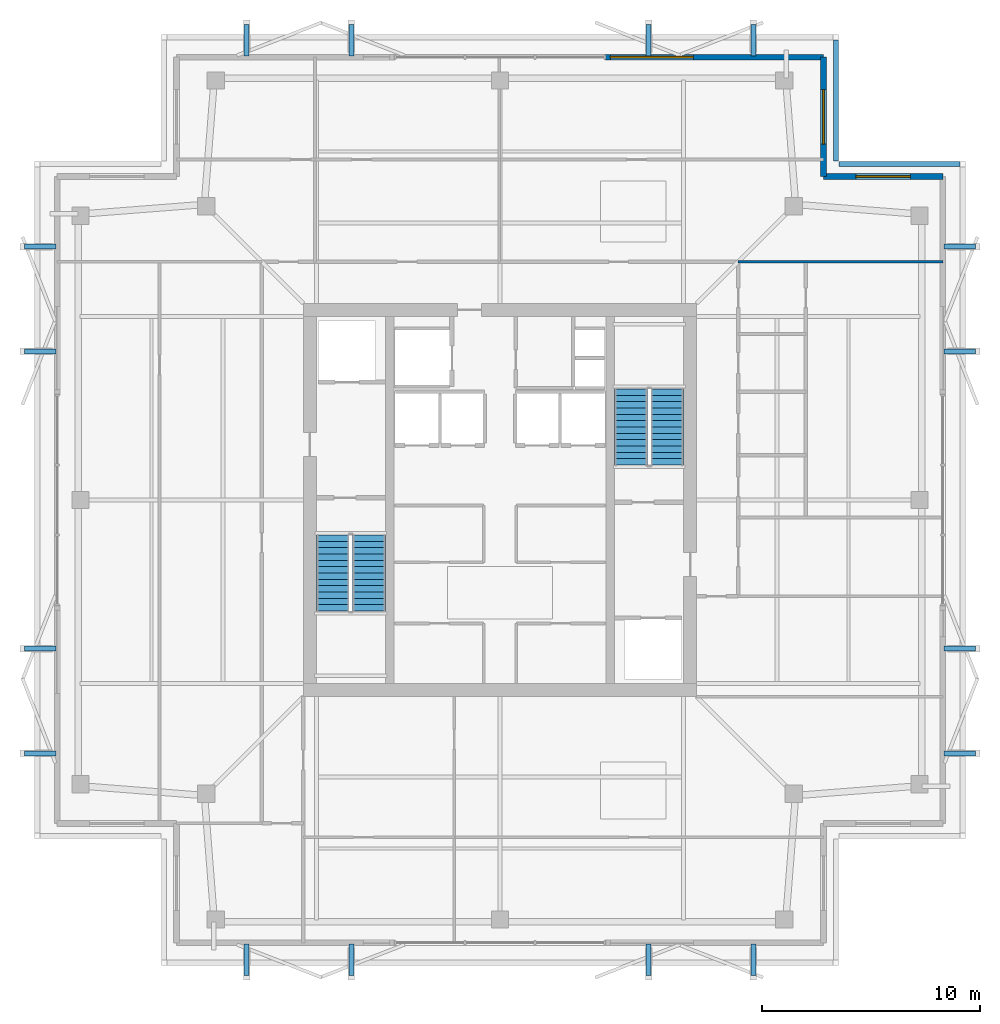
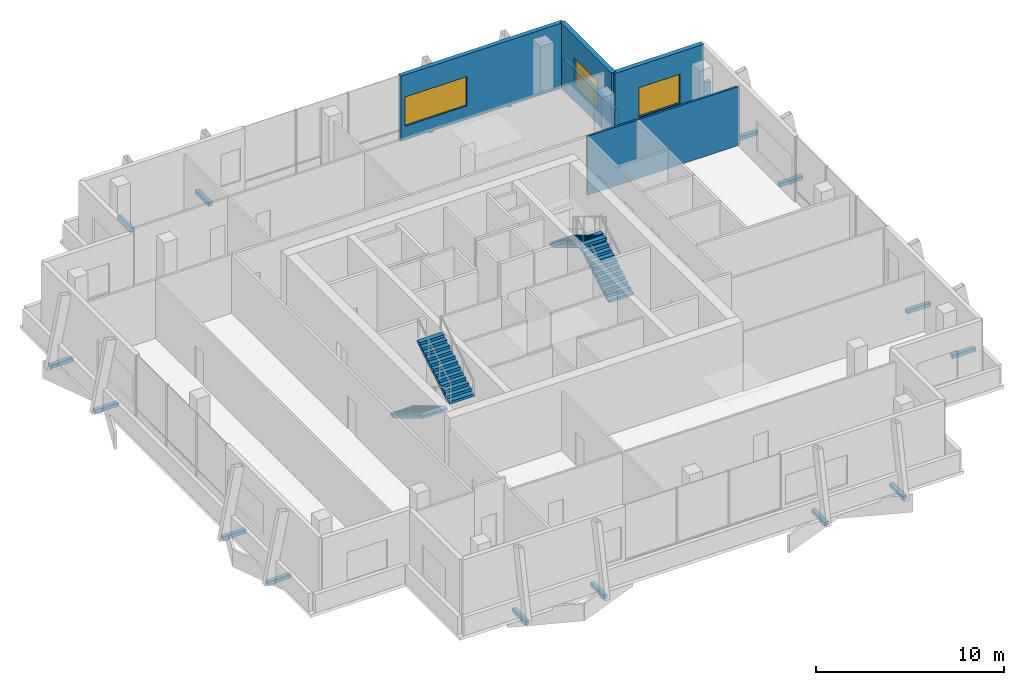
# One storey, part 16 of 17: 16 discrete accessories, 6 walls, 4 stair flights, 3 windows, 3 openings, 2 elements without a shape of their own.
"""IFC4 building model written with IfcOpenShell, lengths in metres."""

import ifcopenshell
import ifcopenshell.guid

model = None  # the IFC model being written
_history = None  # IfcOwnerHistory: only IFC2X3 demands one
_inside = {}  # id of a spatial element -> (the spatial element, [elements in it])
_under = {}  # id of a project, library or spatial element -> (it, [spatial elements below it])
_declared = {}  # id of a project -> (the project, [libraries it declares])
_typed = {}  # id of a type object -> (the type object, [elements of that type])
_made_of = {}  # id of a material, layer set ... -> (it, [elements and type objects made of it])


def new_model(schema):
    """Start an empty IFC model of exactly this schema.

    Asked for "IFC4X3", IfcOpenShell would pick the latest addendum, in which some entities
    have other attributes; the version numbers below select the first issue.
    IFC2X3 requires an IfcOwnerHistory on every rooted entity: one is made here for all.
    """
    global model, _history
    if schema == "IFC4X3":
        model = ifcopenshell.file(schema_version=(4, 3, 0, 0))
    else:
        model = ifcopenshell.file(schema=schema)
    _inside.clear()
    _under.clear()
    _declared.clear()
    _typed.clear()
    _made_of.clear()
    _history = None
    if model.schema == "IFC2X3":
        org = make("IfcOrganization", Name="unknown")
        user = make(
            "IfcPersonAndOrganization",
            ThePerson=make("IfcPerson", FamilyName="unknown"),
            TheOrganization=org,
        )
        app = make(
            "IfcApplication",
            ApplicationDeveloper=org,
            Version="unknown",
            ApplicationFullName="unknown",
            ApplicationIdentifier="unknown",
        )
        _history = make(
            "IfcOwnerHistory",
            OwningUser=user,
            OwningApplication=app,
            ChangeAction="ADDED",
            CreationDate=0,
        )
    return model


def make(cls, **values):
    """One entity of the class cls with the attributes given. An attribute that is None is left unset."""
    return model.create_entity(
        cls, **{name: value for name, value in values.items() if value is not None}
    )


def rooted(cls, **values):
    """An entity with a GlobalId (a new one), such as an element, a storey or a relation."""
    return make(cls, GlobalId=ifcopenshell.guid.new(), OwnerHistory=_history, **values)


def si_unit(unit_type, name, prefix=None):
    """IfcSIUnit, for example si_unit("LENGTHUNIT", "METRE", prefix="MILLI")."""
    return make("IfcSIUnit", UnitType=unit_type, Prefix=prefix, Name=name)


def assignment(units):
    """IfcUnitAssignment: the units of a project."""
    return None if units is None else make("IfcUnitAssignment", Units=units)


def point(xyz):
    """IfcCartesianPoint."""
    return None if xyz is None else make("IfcCartesianPoint", Coordinates=xyz)


def direction(xyz):
    """IfcDirection."""
    return None if xyz is None else make("IfcDirection", DirectionRatios=xyz)


def frame(location, z_axis=None, x_axis=None):
    """IfcAxis2Placement3D, a coordinate frame: its origin and axes. An axis left out is left unset."""
    return make(
        "IfcAxis2Placement3D",
        Location=point(location),
        Axis=direction(z_axis),
        RefDirection=direction(x_axis),
    )


def frame_2d(location, x_axis=None):
    """IfcAxis2Placement2D, a coordinate frame in the plane: its origin and x axis."""
    return make(
        "IfcAxis2Placement2D", Location=point(location), RefDirection=direction(x_axis)
    )


def origin():
    """The frame at (0, 0, 0) with its axes left unset."""
    return frame((0.0, 0.0, 0.0))


def origin_2d():
    """The frame at (0, 0) in the plane with its x axis left unset."""
    return frame_2d((0.0, 0.0))


def place(relative_to, where):
    """IfcLocalPlacement: puts the frame where relative to a parent placement (None: the world)."""
    return make(
        "IfcLocalPlacement", PlacementRelTo=relative_to, RelativePlacement=where
    )


def context(
    kind, dimensions, precision=None, world=None, true_north=None, identifier=None
):
    """IfcGeometricRepresentationContext, for example the 3D "Model" context."""
    return make(
        "IfcGeometricRepresentationContext",
        ContextIdentifier=identifier,
        ContextType=kind,
        CoordinateSpaceDimension=dimensions,
        Precision=precision,
        WorldCoordinateSystem=world,
        TrueNorth=true_north,
    )


def subcontext(parent, identifier, kind, view, scale=None):
    """IfcGeometricRepresentationSubContext, for example "Body" below "Model"."""
    return make(
        "IfcGeometricRepresentationSubContext",
        ContextIdentifier=identifier,
        ContextType=kind,
        ParentContext=parent,
        TargetScale=scale,
        TargetView=view,
    )


def project(units=None, contexts=None):
    """IfcProject with its units and contexts."""
    return rooted(
        "IfcProject",
        Name="project",
        RepresentationContexts=contexts,
        UnitsInContext=assignment(units),
    )


def spatial(cls, under=None, at=None, **own):
    """A site, building, storey or space (cls), placed at a placement, below another one or the project."""
    s = rooted(cls, ObjectPlacement=at, **own)
    if under is not None:
        _under.setdefault(under.id(), (under, []))[1].append(s)
    return s


def polyline(points):
    """IfcPolyline through the points."""
    return make("IfcPolyline", Points=[point(p) for p in points])


def profile(cls, at=None, kind="AREA", **sizes):
    """A parametric profile (cls). Its sizes go by their IFC names, for example OverallWidth=200.0."""
    return make(cls, ProfileType=kind, Position=at, **sizes)


def rectangle(**sizes):
    """IfcRectangleProfileDef."""
    return profile("IfcRectangleProfileDef", **sizes)


def outline(outer, holes=None, kind="AREA"):
    """IfcArbitraryClosedProfileDef: a profile drawn as a closed curve; with holes, ...WithVoids."""
    if holes is None:
        return make("IfcArbitraryClosedProfileDef", ProfileType=kind, OuterCurve=outer)
    return make(
        "IfcArbitraryProfileDefWithVoids",
        ProfileType=kind,
        OuterCurve=outer,
        InnerCurves=holes,
    )


def extrude(swept, where, along, depth):
    """IfcExtrudedAreaSolid: the profile swept, set in the frame where, extruded along a direction by depth."""
    return make(
        "IfcExtrudedAreaSolid",
        SweptArea=swept,
        Position=where,
        ExtrudedDirection=direction(along),
        Depth=depth,
    )


def shape(context_of_items, identifier, shape_type, items):
    """IfcShapeRepresentation: the items that make up one representation, for example the "Body"."""
    return make(
        "IfcShapeRepresentation",
        ContextOfItems=context_of_items,
        RepresentationIdentifier=identifier,
        RepresentationType=shape_type,
        Items=items,
    )


def material(Name=None, Category=None):
    """IfcMaterial."""
    return make("IfcMaterial", Name=Name, Category=Category)


def layer(
    of_material, thickness, ventilated=None, Name=None, Category=None, Priority=None
):
    """IfcMaterialLayer: one layer of a wall or slab, of a material (None: an air gap)."""
    return make(
        "IfcMaterialLayer",
        Material=of_material,
        LayerThickness=thickness,
        IsVentilated=ventilated,
        Name=Name,
        Category=Category,
        Priority=Priority,
    )


def layer_set(layers, Name=None):
    """IfcMaterialLayerSet."""
    return make("IfcMaterialLayerSet", MaterialLayers=layers, LayerSetName=Name)


def made_of(thing, what):
    """Note that an element or type object is made of a material, layer set ...; save() writes the relation."""
    if what is not None:
        _made_of.setdefault(what.id(), (what, []))[1].append(thing)
    return thing


def type_object(cls, material=None, **own):
    """A type object (cls), such as IfcWallType, which elements share."""
    return made_of(rooted(cls, **own), material)


def element(
    cls,
    number,
    at=None,
    inside=None,
    cuts=None,
    type_object=None,
    material=None,
    context=None,
    identifier="Body",
    shape_type=None,
    held_by="IfcProductDefinitionShape",
    body=None,
    shapes=None,
    **own,
):
    """One element of the class cls, such as IfcWall. Its Tag is "e" and its number.

    at: its placement. inside: the storey or other place that contains it. cuts: it is an
    opening in that element (IfcRelVoidsElement). A single representation is given by context,
    identifier, shape_type and body (its items); several are given by shapes. held_by: the class
    of the entity that holds the representations. save() writes the other relations.
    """
    e = rooted(cls, Tag="e%d" % number, ObjectPlacement=at, **own)
    if body is not None:
        shapes = [shape(context, identifier, shape_type, body)]
    if shapes is not None:
        e.Representation = make(held_by, Representations=shapes)
    if inside is not None:
        _inside.setdefault(inside.id(), (inside, []))[1].append(e)
    if cuts is not None:
        rooted(
            "IfcRelVoidsElement", RelatingBuildingElement=cuts, RelatedOpeningElement=e
        )
    if type_object is not None:
        _typed.setdefault(type_object.id(), (type_object, []))[1].append(e)
    return made_of(e, material)


def fill(opening, filler):
    """IfcRelFillsElement: the door or window that sits in an opening."""
    return rooted(
        "IfcRelFillsElement",
        RelatingOpeningElement=opening,
        RelatedBuildingElement=filler,
    )


def aggregate(whole, parts):
    """IfcRelAggregates: a whole, such as a stair, and the parts it consists of."""
    return rooted("IfcRelAggregates", RelatingObject=whole, RelatedObjects=parts)


def save(model, path):
    """Write the relations noted so far, then the file.

    IfcRelAggregates (storeys below a building ...), IfcRelContainedInSpatialStructure (elements
    in a storey), IfcRelDefinesByType, IfcRelAssociatesMaterial and IfcRelDeclares: one each for
    every whole, place, type object, material and project.
    """
    for whole, parts in _under.values():
        aggregate(whole, parts)
    for where, things in _inside.values():
        rooted(
            "IfcRelContainedInSpatialStructure",
            RelatedElements=things,
            RelatingStructure=where,
        )
    for kind, things in _typed.values():
        rooted("IfcRelDefinesByType", RelatedObjects=things, RelatingType=kind)
    for what, things in _made_of.values():
        rooted("IfcRelAssociatesMaterial", RelatedObjects=things, RelatingMaterial=what)
    for by, libraries in _declared.values():
        rooted("IfcRelDeclares", RelatingContext=by, RelatedDefinitions=libraries)
    model.write(path)


model = new_model("IFC4")

# Units and contexts
model_context = context("Model", 3, precision=1e-05, world=origin(), true_north=direction((0.0, 1.0)))
body_context = subcontext(model_context, "Body", "Model", "MODEL_VIEW")
ifc_project = project(units=[si_unit("LENGTHUNIT", "METRE"), si_unit("AREAUNIT", "SQUARE_METRE"), si_unit("VOLUMEUNIT", "CUBIC_METRE"), si_unit("PLANEANGLEUNIT", "RADIAN"), si_unit("MASSUNIT", "GRAM", prefix="KILO")], contexts=[model_context])

# Site, building, storey
site_placement = place(None, origin())
site = spatial("IfcSite", under=ifc_project, at=site_placement, CompositionType="ELEMENT")
building_placement = place(site_placement, origin())
building = spatial("IfcBuilding", under=site, at=building_placement, Name="Belovzor Exchange Tower", CompositionType="ELEMENT")
storey_placement = place(building_placement, frame((0.0, 0.0, 355.5)))
storey = spatial("IfcBuildingStorey", under=building, at=storey_placement, Name="L89", CompositionType="ELEMENT", Elevation=355.5)

# Wall
ifc_material_1 = material(Name="Acoustic Plasterboard on Galvanised Studs", Category="gypsum")
ifc_layer_1 = layer(ifc_material_1, 0.1201171875)
ifc_layer_set_1 = layer_set([ifc_layer_1], Name="Acoustic Plasterboard on Galvanised Studs")
wall_type_1 = type_object("IfcWallType", Name="Acoustic Double-Stud Partition Wall 120", PredefinedType="PARTITIONING", material=ifc_layer_set_1)
wall_1_placement = place(storey_placement, frame((39.699951171875, 39.699951171875, 0.0), z_axis=(0.0, 0.0, 1.0), x_axis=(1.0, 0.0, 0.0)))
element("IfcWall", 1, at=wall_1_placement, inside=storey, type_object=wall_type_1, Name="W-P120 Partition Wall W-L89-END-NE", PredefinedType="PARTITIONING", context=body_context, shape_type="SweptSolid", body=[
    extrude(rectangle(XDim=9.3701171875, YDim=0.1201171875, at=frame_2d((4.68505859375, 0.0))), origin(), (0.0, 0.0, 1.0), 3.824951171875),
])

# Wall, opening, window
ifc_material_2 = material(Name="Precast concrete C40/50", Category="concrete")
ifc_layer_2 = layer(ifc_material_2, 0.280029296875)
ifc_layer_set_2 = layer_set([ifc_layer_2], Name="Precast concrete C40/50")
wall_type_2 = type_object("IfcWallType", Name="Precast Concrete Notched Corner Frame Wall 280", PredefinedType="SOLIDWALL", material=ifc_layer_set_2)
wall_2_placement = place(storey_placement, frame((43.60009765625, 49.070068359375, 0.0), z_axis=(0.0, 0.0, 1.0), x_axis=(0.0, -1.0, 0.0)))
wall_2 = element("IfcWall", 2, at=wall_2_placement, inside=storey, type_object=wall_type_2, Name="W-CRN280 Precast Concrete Notched Corner Frame Wall 280 L89", PredefinedType="SOLIDWALL", context=body_context, shape_type="SweptSolid", body=[
    extrude(rectangle(XDim=5.469970703125, YDim=0.280029296875, at=frame_2d((2.73486328125, 0.0))), origin(), (0.0, 0.0, 1.0), 4.239990234375),
])
opening_1_placement = place(wall_2_placement, frame((1.485107421875, 0.0, 0.89990234375)))
opening_1 = element("IfcOpeningElement", 3, at=opening_1_placement, cuts=wall_2, Name="Opening WN-CRN250", PredefinedType="OPENING", context=body_context, shape_type="SweptSolid", body=[
    extrude(rectangle(XDim=2.5, YDim=1.89990234375, at=frame_2d((1.25, 0.949951171875))), frame((0.0, 0.14990234375, 0.0), z_axis=(0.0, -1.0, 0.0), x_axis=(1.0, 0.0, 0.0)), (0.0, 0.0, 1.0), 0.300048828125),
])
ifc_material_3 = material(Name="Thermally Broken Aluminium and Triple Glazing", Category="aluminium")
window_type_1 = type_object("IfcWindowType", Name="Streamline Moderne Corner Wrap Ribbon Window 2500x1900", PartitioningType="SINGLE_PANEL", PredefinedType="WINDOW", material=ifc_material_3)
window_1_placement = place(opening_1_placement, origin())
window_1 = element("IfcWindow", 4, at=window_1_placement, inside=storey, type_object=window_type_1, Name="WN-CRN250 Streamline Moderne Corner Wrap Ribbon Window 2500x1900", OverallHeight=1.89990234375, OverallWidth=2.5, PartitioningType="SINGLE_PANEL", PredefinedType="WINDOW", context=body_context, shape_type="SweptSolid", body=[
    extrude(rectangle(XDim=2.5, YDim=1.89990234375, at=frame_2d((1.25, 0.949951171875))), frame((0.0, 0.030029296875, 0.0), z_axis=(0.0, -1.0, 0.0), x_axis=(1.0, 0.0, 0.0)), (0.0, 0.0, 1.0), 0.06005859375),
])
fill(opening_1, window_1)

wall_3_placement = place(storey_placement, frame((43.60009765625, 43.60009765625, 0.0), z_axis=(0.0, 0.0, 1.0), x_axis=(1.0, 0.0, 0.0)))
wall_3 = element("IfcWall", 5, at=wall_3_placement, inside=storey, type_object=wall_type_2, Name="W-CRN280 Precast Concrete Notched Corner Frame Wall 280 L89", PredefinedType="SOLIDWALL", context=body_context, shape_type="SweptSolid", body=[
    extrude(rectangle(XDim=5.469970703125, YDim=0.280029296875, at=frame_2d((2.73486328125, 0.0))), origin(), (0.0, 0.0, 1.0), 4.239990234375),
])
opening_2_placement = place(wall_3_placement, frame((1.485107421875, 0.0, 0.89990234375)))
opening_2 = element("IfcOpeningElement", 6, at=opening_2_placement, cuts=wall_3, Name="Opening WN-CRN250", PredefinedType="OPENING", context=body_context, shape_type="SweptSolid", body=[
    extrude(rectangle(XDim=2.5, YDim=1.89990234375, at=frame_2d((1.25, 0.949951171875))), frame((0.0, 0.14990234375, 0.0), z_axis=(0.0, -1.0, 0.0), x_axis=(1.0, 0.0, 0.0)), (0.0, 0.0, 1.0), 0.300048828125),
])
window_2_placement = place(opening_2_placement, origin())
window_2 = element("IfcWindow", 7, at=window_2_placement, inside=storey, type_object=window_type_1, Name="WN-CRN250 Streamline Moderne Corner Wrap Ribbon Window 2500x1900", OverallHeight=1.89990234375, OverallWidth=2.5, PartitioningType="SINGLE_PANEL", PredefinedType="WINDOW", context=body_context, shape_type="SweptSolid", body=[
    extrude(rectangle(XDim=2.5, YDim=1.89990234375, at=frame_2d((1.25, 0.949951171875))), frame((0.0, 0.030029296875, 0.0), z_axis=(0.0, -1.0, 0.0), x_axis=(1.0, 0.0, 0.0)), (0.0, 0.0, 1.0), 0.06005859375),
])
fill(opening_2, window_2)

ifc_material_4 = material(Name="Precast concrete C40/50", Category="concrete")
ifc_layer_3 = layer(ifc_material_4, 0.260009765625)
ifc_layer_set_3 = layer_set([ifc_layer_3], Name="Precast concrete C40/50")
wall_type_3 = type_object("IfcWallType", Name="Precast Concrete Perimeter Loggia Frame Wall 260", PredefinedType="SOLIDWALL", material=ifc_layer_set_3)
wall_4_placement = place(storey_placement, frame((33.60009765625, 49.070068359375, 0.0), z_axis=(0.0, 0.0, 1.0), x_axis=(1.0, 0.0, 0.0)))
wall_4 = element("IfcWall", 8, at=wall_4_placement, inside=storey, type_object=wall_type_3, Name="W-EXT260 Precast Concrete Perimeter Loggia Frame Wall 260 L89", PredefinedType="SOLIDWALL", context=body_context, shape_type="SweptSolid", body=[
    extrude(rectangle(XDim=10.0, YDim=0.260009765625, at=frame_2d((5.0, 0.0))), origin(), (0.0, 0.0, 1.0), 4.239990234375),
])
opening_3_placement = place(wall_4_placement, frame((0.25, 0.0, 0.89990234375)))
opening_3 = element("IfcOpeningElement", 9, at=opening_3_placement, cuts=wall_4, Name="Opening WN-RIB380", PredefinedType="OPENING", context=body_context, shape_type="SweptSolid", body=[
    extrude(rectangle(XDim=3.800048828125, YDim=1.89990234375, at=frame_2d((1.89990234375, 0.949951171875))), frame((0.0, 0.139892578125, 0.0), z_axis=(0.0, -1.0, 0.0), x_axis=(1.0, 0.0, 0.0)), (0.0, 0.0, 1.0), 0.280029296875),
])
ifc_material_5 = material(Name="Thermally Broken Aluminium and Triple Glazing", Category="aluminium")
window_type_2 = type_object("IfcWindowType", Name="Streamline Moderne Horizontal Ribbon Window 3800x1900", PartitioningType="SINGLE_PANEL", PredefinedType="WINDOW", material=ifc_material_5)
window_3_placement = place(opening_3_placement, origin())
window_3 = element("IfcWindow", 10, at=window_3_placement, inside=storey, type_object=window_type_2, Name="WN-RIB380 Streamline Moderne Horizontal Ribbon Window 3800x1900", OverallHeight=1.89990234375, OverallWidth=3.800048828125, PartitioningType="SINGLE_PANEL", PredefinedType="WINDOW", context=body_context, shape_type="SweptSolid", body=[
    extrude(rectangle(XDim=3.800048828125, YDim=1.89990234375, at=frame_2d((1.89990234375, 0.949951171875))), frame((0.0, 0.030029296875, 0.0), z_axis=(0.0, -1.0, 0.0), x_axis=(1.0, 0.0, 0.0)), (0.0, 0.0, 1.0), 0.06005859375),
])
fill(opening_3, window_3)

# Walls
ifc_material_6 = material(Name="Precast concrete C40/50", Category="concrete")
ifc_layer_4 = layer(ifc_material_6, 0.239990234375)
ifc_layer_set_4 = layer_set([ifc_layer_4], Name="Precast concrete C40/50")
wall_type_4 = type_object("IfcWallType", Name="Precast Stone Setback Roof Parapet Wall 240", PredefinedType="PARAPET", material=ifc_layer_set_4)
for number, where, z_axis, x_axis, name in (
    (11, (49.844970703125, 44.179931640625, 0.0), (0.0, 0.0, 1.0), (-1.0, 0.0, 0.0), "W-PAR240 Precast Stone Setback Roof Parapet Wall 240 L89"),
    (12, (44.179931640625, 44.31494140625, 0.0), (0.0, 0.0, 1.0), (0.0, 1.0, 0.0), "W-PAR240 Precast Stone Setback Roof Parapet Wall 240 L89"),
):
    element("IfcWall", number, at=place(storey_placement, frame(where, z_axis=z_axis, x_axis=x_axis)), inside=storey, type_object=wall_type_4, Name=name, PredefinedType="PARAPET", context=body_context, shape_type="SweptSolid", body=[
        extrude(rectangle(XDim=5.530029296875, YDim=0.239990234375, at=frame_2d((2.76513671875, 0.0))), origin(), (0.0, 0.0, 1.0), 1.199951171875),
    ])

# Stair, stair flights
ifc_material_7 = material(Name="Concrete C40/50", Category="concrete")
stair_type = type_object("IfcStairType", Name="Reinforced Concrete Dogleg Escape Stair 1350", PredefinedType="HALF_TURN_STAIR", material=ifc_material_7)
stair_1_placement = place(storey_placement, origin())
stair_1 = element("IfcStair", 13, at=stair_1_placement, inside=storey, type_object=stair_type, Name="L89 ST-1", PredefinedType="HALF_TURN_STAIR")
ifc_material_8 = material(Name="Concrete C40/50", Category="concrete")
stair_flight_type = type_object("IfcStairFlightType", Name="Reinforced Concrete Stair Flight 1350", PredefinedType="STRAIGHT", material=ifc_material_8)
stair_flight_1_placement = place(storey_placement, frame((21.14990234375, 27.199951171875, 0.0), z_axis=(0.0, 0.0, 1.0), x_axis=(0.0, -1.0, 0.0)))
stair_flight_1 = element("IfcStairFlight", 14, at=stair_flight_1_placement, type_object=stair_flight_type, Name="ST-1 flight 1", NumberOfRisers=13, NumberOfTreads=12, PredefinedType="STRAIGHT", RiserHeight=0.173076923, TreadLength=0.29, context=body_context, shape_type="SweptSolid", body=[
    extrude(outline(polyline([(0.0, 0.0), (0.0, 0.173095703125), (0.2900390625, 0.173095703125), (0.2900390625, 0.34619140625), (0.580078125, 0.34619140625), (0.580078125, 0.519287109375), (0.8701171875, 0.519287109375), (0.8701171875, 0.6923828125), (1.159912109375, 0.6923828125), (1.159912109375, 0.865478515625), (1.449951171875, 0.865478515625), (1.449951171875, 1.03857421875), (1.739990234375, 1.03857421875), (1.739990234375, 1.21142578125), (2.030029296875, 1.21142578125), (2.030029296875, 1.384521484375), (2.320068359375, 1.384521484375), (2.320068359375, 1.5576171875), (2.610107421875, 1.5576171875), (2.610107421875, 1.730712890625), (2.89990234375, 1.730712890625), (2.89990234375, 1.90380859375), (3.18994140625, 1.90380859375), (3.18994140625, 2.076904296875), (3.47998046875, 2.076904296875), (3.47998046875, 2.25), (3.47998046875, 1.90234375), (0.29248046875, 0.0), (0.0, 0.0)])), frame((0.0, 0.75, 0.0), z_axis=(0.0, -1.0, 0.0), x_axis=(1.0, 0.0, 0.0)), (0.0, 0.0, 1.0), 1.5),
])
stair_flight_2_placement = place(storey_placement, frame((22.800048828125, 23.719970703125, 2.25), z_axis=(0.0, 0.0, 1.0), x_axis=(0.0, 1.0, 0.0)))
stair_flight_2 = element("IfcStairFlight", 15, at=stair_flight_2_placement, type_object=stair_flight_type, Name="ST-1 flight 2", NumberOfRisers=13, NumberOfTreads=12, PredefinedType="STRAIGHT", RiserHeight=0.173076923, TreadLength=0.29, context=body_context, shape_type="SweptSolid", body=[
    extrude(outline(polyline([(0.0, 0.0), (0.0, 0.173095703125), (0.2900390625, 0.173095703125), (0.2900390625, 0.34619140625), (0.580078125, 0.34619140625), (0.580078125, 0.519287109375), (0.8701171875, 0.519287109375), (0.8701171875, 0.6923828125), (1.159912109375, 0.6923828125), (1.159912109375, 0.865478515625), (1.449951171875, 0.865478515625), (1.449951171875, 1.03857421875), (1.739990234375, 1.03857421875), (1.739990234375, 1.21142578125), (2.030029296875, 1.21142578125), (2.030029296875, 1.384521484375), (2.320068359375, 1.384521484375), (2.320068359375, 1.5576171875), (2.610107421875, 1.5576171875), (2.610107421875, 1.730712890625), (2.89990234375, 1.730712890625), (2.89990234375, 1.90380859375), (3.18994140625, 1.90380859375), (3.18994140625, 2.076904296875), (3.47998046875, 2.076904296875), (3.47998046875, 2.25), (3.47998046875, 1.90234375), (0.29248046875, 0.0), (0.0, 0.0)])), frame((0.0, 0.75, 0.0), z_axis=(0.0, -1.0, 0.0), x_axis=(1.0, 0.0, 0.0)), (0.0, 0.0, 1.0), 1.5),
])
aggregate(stair_1, [stair_flight_1, stair_flight_2])

stair_2_placement = place(storey_placement, origin())
stair_2 = element("IfcStair", 16, at=stair_2_placement, inside=storey, type_object=stair_type, Name="L89 ST-2", PredefinedType="HALF_TURN_STAIR")
stair_flight_3_placement = place(storey_placement, frame((36.449951171875, 30.39990234375, 0.0), z_axis=(0.0, 0.0, 1.0), x_axis=(0.0, 1.0, 0.0)))
stair_flight_3 = element("IfcStairFlight", 17, at=stair_flight_3_placement, type_object=stair_flight_type, Name="ST-2 flight 1", NumberOfRisers=13, NumberOfTreads=12, PredefinedType="STRAIGHT", RiserHeight=0.173076923, TreadLength=0.29, context=body_context, shape_type="SweptSolid", body=[
    extrude(outline(polyline([(0.0, 0.0), (0.0, 0.173095703125), (0.2900390625, 0.173095703125), (0.2900390625, 0.34619140625), (0.580078125, 0.34619140625), (0.580078125, 0.519287109375), (0.8701171875, 0.519287109375), (0.8701171875, 0.6923828125), (1.159912109375, 0.6923828125), (1.159912109375, 0.865478515625), (1.449951171875, 0.865478515625), (1.449951171875, 1.03857421875), (1.739990234375, 1.03857421875), (1.739990234375, 1.21142578125), (2.030029296875, 1.21142578125), (2.030029296875, 1.384521484375), (2.320068359375, 1.384521484375), (2.320068359375, 1.5576171875), (2.610107421875, 1.5576171875), (2.610107421875, 1.730712890625), (2.89990234375, 1.730712890625), (2.89990234375, 1.90380859375), (3.18994140625, 1.90380859375), (3.18994140625, 2.076904296875), (3.47998046875, 2.076904296875), (3.47998046875, 2.25), (3.47998046875, 1.90234375), (0.29248046875, 0.0), (0.0, 0.0)])), frame((0.0, 0.75, 0.0), z_axis=(0.0, -1.0, 0.0), x_axis=(1.0, 0.0, 0.0)), (0.0, 0.0, 1.0), 1.5),
])
stair_flight_4_placement = place(storey_placement, frame((34.800048828125, 33.8798828125, 2.25), z_axis=(0.0, 0.0, 1.0), x_axis=(0.0, -1.0, 0.0)))
stair_flight_4 = element("IfcStairFlight", 18, at=stair_flight_4_placement, type_object=stair_flight_type, Name="ST-2 flight 2", NumberOfRisers=13, NumberOfTreads=12, PredefinedType="STRAIGHT", RiserHeight=0.173076923, TreadLength=0.29, context=body_context, shape_type="SweptSolid", body=[
    extrude(outline(polyline([(0.0, 0.0), (0.0, 0.173095703125), (0.2900390625, 0.173095703125), (0.2900390625, 0.34619140625), (0.580078125, 0.34619140625), (0.580078125, 0.519287109375), (0.8701171875, 0.519287109375), (0.8701171875, 0.6923828125), (1.159912109375, 0.6923828125), (1.159912109375, 0.865478515625), (1.449951171875, 0.865478515625), (1.449951171875, 1.03857421875), (1.739990234375, 1.03857421875), (1.739990234375, 1.21142578125), (2.030029296875, 1.21142578125), (2.030029296875, 1.384521484375), (2.320068359375, 1.384521484375), (2.320068359375, 1.5576171875), (2.610107421875, 1.5576171875), (2.610107421875, 1.730712890625), (2.89990234375, 1.730712890625), (2.89990234375, 1.90380859375), (3.18994140625, 1.90380859375), (3.18994140625, 2.076904296875), (3.47998046875, 2.076904296875), (3.47998046875, 2.25), (3.47998046875, 1.90234375), (0.29248046875, 0.0), (0.0, 0.0)])), frame((0.0, 0.75, 0.0), z_axis=(0.0, -1.0, 0.0), x_axis=(1.0, 0.0, 0.0)), (0.0, 0.0, 1.0), 1.5),
])
aggregate(stair_2, [stair_flight_3, stair_flight_4])

# Discrete accessories
ifc_material_9 = material(Name="Stainless Steel Grade 316", Category="steel")
ifc_layer_5 = layer(ifc_material_9, 0.179931640625)
ifc_layer_set_5 = layer_set([ifc_layer_5], Name="Stainless Steel Grade 316")
discrete_accessory_type = type_object("IfcDiscreteAccessoryType", Name="Stainless Steel Facade Outrigger Fixing Bracket", PredefinedType="BRACKET", material=ifc_layer_set_5)
for number, where, z_axis, x_axis, name in (
    (19, (17.199951171875, 7.762939453125, -0.25), (0.0, 0.0, 1.0), (0.0, 1.0, 0.0), "BRK-FIN1 Sweeping Fin Outrigger Bracket L89 S1"),
    (20, (17.199951171875, 49.8369140625, -0.25), (0.0, 0.0, 1.0), (0.0, 1.0, 0.0), "BRK-FIN1 Sweeping Fin Outrigger Bracket L89 N1"),
    (21, (7.762939453125, 17.199951171875, -0.25), (0.0, 0.0, 1.0), (1.0, 0.0, 0.0), "BRK-FIN1 Sweeping Fin Outrigger Bracket L89 W1"),
    (22, (49.8369140625, 17.199951171875, -0.25), (0.0, 0.0, 1.0), (1.0, 0.0, 0.0), "BRK-FIN1 Sweeping Fin Outrigger Bracket L89 E1"),
    (23, (22.0, 7.762939453125, -0.25), (0.0, 0.0, 1.0), (0.0, 1.0, 0.0), "BRK-FIN1 Sweeping Fin Outrigger Bracket L89 S2"),
    (24, (22.0, 49.8369140625, -0.25), (0.0, 0.0, 1.0), (0.0, 1.0, 0.0), "BRK-FIN1 Sweeping Fin Outrigger Bracket L89 N2"),
    (25, (7.762939453125, 22.0, -0.25), (0.0, 0.0, 1.0), (1.0, 0.0, 0.0), "BRK-FIN1 Sweeping Fin Outrigger Bracket L89 W2"),
    (26, (49.8369140625, 22.0, -0.25), (0.0, 0.0, 1.0), (1.0, 0.0, 0.0), "BRK-FIN1 Sweeping Fin Outrigger Bracket L89 E2"),
    (27, (35.60009765625, 7.762939453125, -0.25), (0.0, 0.0, 1.0), (0.0, 1.0, 0.0), "BRK-FIN1 Sweeping Fin Outrigger Bracket L89 S3"),
    (28, (35.60009765625, 49.8369140625, -0.25), (0.0, 0.0, 1.0), (0.0, 1.0, 0.0), "BRK-FIN1 Sweeping Fin Outrigger Bracket L89 N3"),
    (29, (7.762939453125, 35.60009765625, -0.25), (0.0, 0.0, 1.0), (1.0, 0.0, 0.0), "BRK-FIN1 Sweeping Fin Outrigger Bracket L89 W3"),
    (30, (49.8369140625, 35.60009765625, -0.25), (0.0, 0.0, 1.0), (1.0, 0.0, 0.0), "BRK-FIN1 Sweeping Fin Outrigger Bracket L89 E3"),
    (31, (40.39990234375, 7.762939453125, -0.25), (0.0, 0.0, 1.0), (0.0, 1.0, 0.0), "BRK-FIN1 Sweeping Fin Outrigger Bracket L89 S4"),
    (32, (40.39990234375, 49.8369140625, -0.25), (0.0, 0.0, 1.0), (0.0, 1.0, 0.0), "BRK-FIN1 Sweeping Fin Outrigger Bracket L89 N4"),
    (33, (7.762939453125, 40.39990234375, -0.25), (0.0, 0.0, 1.0), (1.0, 0.0, 0.0), "BRK-FIN1 Sweeping Fin Outrigger Bracket L89 W4"),
    (34, (49.8369140625, 40.39990234375, -0.25), (0.0, 0.0, 1.0), (1.0, 0.0, 0.0), "BRK-FIN1 Sweeping Fin Outrigger Bracket L89 E4"),
):
    element("IfcDiscreteAccessory", number, at=place(storey_placement, frame(where, z_axis=z_axis, x_axis=x_axis)), inside=storey, type_object=discrete_accessory_type, Name=name, PredefinedType="BRACKET", context=body_context, shape_type="SweptSolid", body=[
        extrude(rectangle(XDim=1.43505859375, YDim=0.239990234375, at=origin_2d()), origin(), (0.0, 0.0, 1.0), 0.239990234375),
    ])

save(model, "model.ifc")
